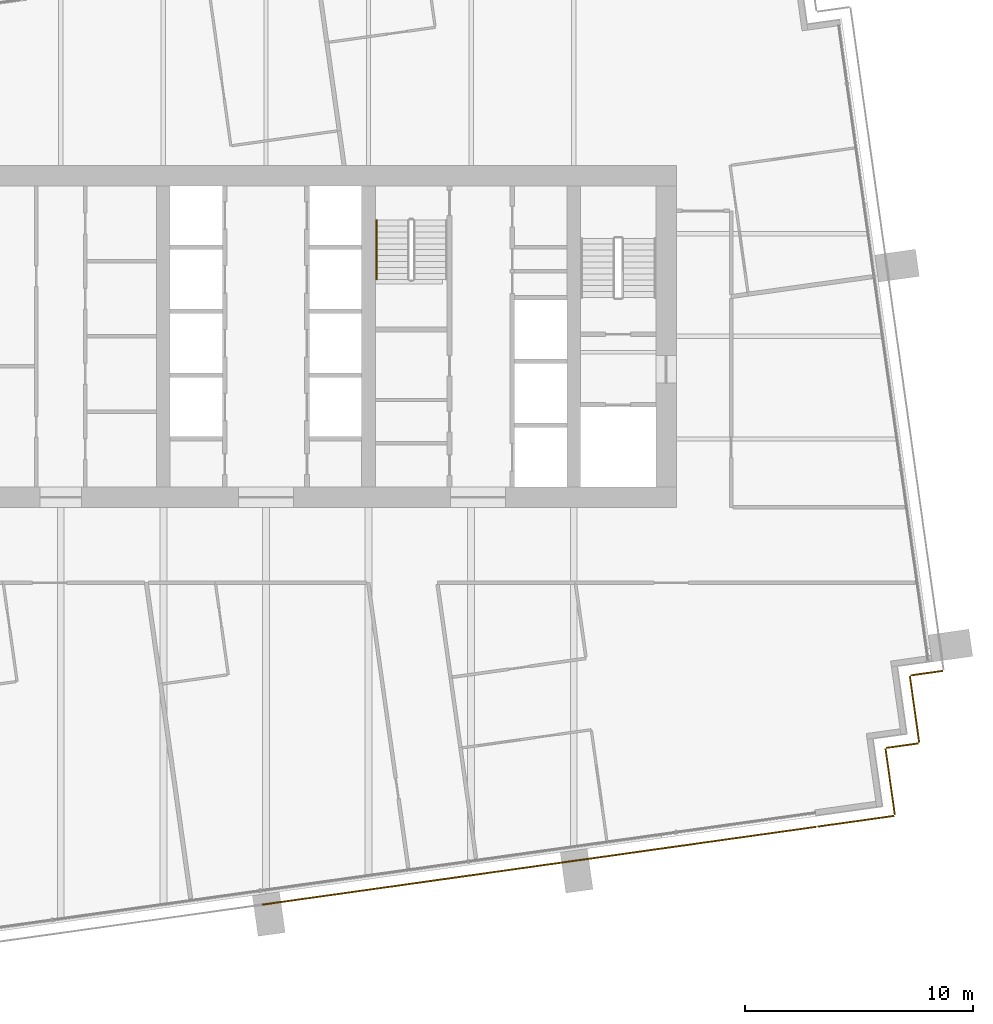
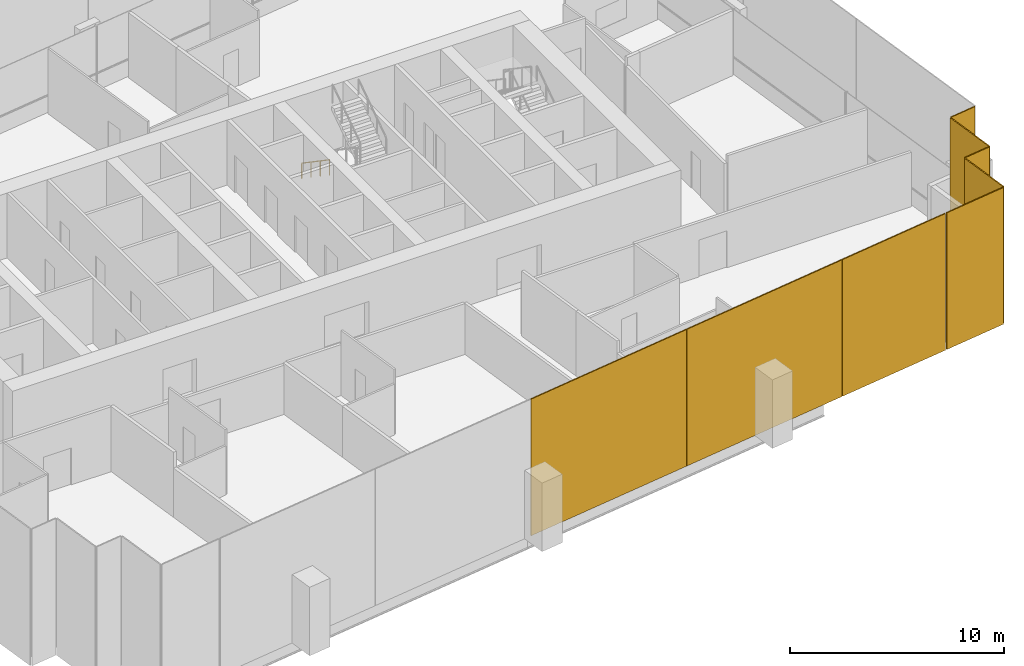
# One storey, part 14 of 17: 8 coverings, 1 railing.
"""IFC4 building model written with IfcOpenShell, lengths in metres."""

from ifc_helpers import new_model, si_unit, direction, frame, origin, origin_2d, place, context, subcontext, project, spatial, rectangle, extrude, material, layer, layer_set, type_object, element, save


model = new_model("IFC4")

# Units and contexts
model_context = context("Model", 3, precision=1e-05, world=origin(), true_north=direction((0.0, 1.0)))
body_context = subcontext(model_context, "Body", "Model", "MODEL_VIEW")
ifc_project = project(units=[si_unit("LENGTHUNIT", "METRE"), si_unit("AREAUNIT", "SQUARE_METRE"), si_unit("VOLUMEUNIT", "CUBIC_METRE"), si_unit("PLANEANGLEUNIT", "RADIAN"), si_unit("MASSUNIT", "GRAM", prefix="KILO")], contexts=[model_context])

# Site, building, storey
site_placement = place(None, origin())
site = spatial("IfcSite", under=ifc_project, at=site_placement, CompositionType="ELEMENT")
building_placement = place(site_placement, origin())
building = spatial("IfcBuilding", under=site, at=building_placement, Name="Rattan Terrace Tower", CompositionType="ELEMENT")
storey_placement = place(building_placement, frame((0.0, 0.0, 191.89990234375)))
storey = spatial("IfcBuildingStorey", under=building, at=storey_placement, Name="L44", CompositionType="ELEMENT", Elevation=191.89990234375)

# Railing
ifc_material_1 = material(Name="Powder-coated steel handrail", Category="steel")
railing_type = type_object("IfcRailingType", Name="Core stair handrail", PredefinedType="HANDRAIL", material=ifc_material_1)
railing_placement = place(storey_placement, frame((4.85009765625, 5.10009765625, 0.177490234375)))
element("IfcRailing", 1, at=railing_placement, inside=storey, type_object=railing_type, Name="L44 S3 stair handrail 1", PredefinedType="HANDRAIL", context=body_context, shape_type="SweptSolid", body=[
    extrude(rectangle(XDim=0.048095703125, YDim=0.048095703125, at=origin_2d()), frame((0.0, 0.0, 0.8759765625), z_axis=(0.0, -0.826240473404, 0.563317565952), x_axis=(1.0, 0.0, 0.0)), (0.0, 0.0, 1.0), 3.14697265625),
    extrude(rectangle(XDim=0.0419921875, YDim=0.0419921875, at=origin_2d()), origin(), (0.0, 0.0, 1.0), 0.851806640625),
    extrude(rectangle(XDim=0.0419921875, YDim=0.0419921875, at=origin_2d()), frame((0.0, -0.86669921875, 0.5908203125)), (0.0, 0.0, 1.0), 0.851806640625),
    extrude(rectangle(XDim=0.0419921875, YDim=0.0419921875, at=origin_2d()), frame((0.0, -1.7333984375, 1.181884765625)), (0.0, 0.0, 1.0), 0.851806640625),
    extrude(rectangle(XDim=0.0419921875, YDim=0.0419921875, at=origin_2d()), frame((0.0, -2.60009765625, 1.772705078125)), (0.0, 0.0, 1.0), 0.851806640625),
])

# Coverings
ifc_material_2 = material(Name="Perforated terracotta", Category="masonry")
ifc_layer = layer(ifc_material_2, 0.06005859375)
ifc_layer_set = layer_set([ifc_layer], Name="Facade Terracotta Screen Panel")
covering_type = type_object("IfcCoveringType", Name="Facade Terracotta Screen Panel", PredefinedType="CLADDING", material=ifc_layer_set)
covering_1_placement = place(storey_placement, frame((25.8798828125, -21.266357421875, -0.18994140625), z_axis=(0.0, 0.0, 1.0), x_axis=(0.990247240581, 0.139321220646, 0.0)))
element("IfcCovering", 2, at=covering_1_placement, inside=storey, type_object=covering_type, Name="OUTER SKIN panel L44-1", PredefinedType="CLADDING", context=body_context, shape_type="SweptSolid", body=[
    extrude(rectangle(XDim=3.370361328125, YDim=0.06005859375, at=origin_2d()), origin(), (0.0, 0.0, 1.0), 7.780029296875),
])
covering_2_placement = place(storey_placement, frame((27.37939453125, -19.54052734375, -0.18994140625), z_axis=(0.0, 0.0, 1.0), x_axis=(-0.139321220646, 0.990247240581, 0.0)))
element("IfcCovering", 3, at=covering_2_placement, inside=storey, type_object=covering_type, Name="OUTER SKIN panel L44-2", PredefinedType="CLADDING", context=body_context, shape_type="SweptSolid", body=[
    extrude(rectangle(XDim=2.919921875, YDim=0.06005859375, at=origin_2d()), origin(), (0.0, 0.0, 1.0), 7.780029296875),
])
covering_3_placement = place(storey_placement, frame((27.913330078125, -17.951171875, -0.18994140625), z_axis=(0.0, 0.0, 1.0), x_axis=(0.990345406709, 0.138621698915, 0.0)))
element("IfcCovering", 4, at=covering_3_placement, inside=storey, type_object=covering_type, Name="OUTER SKIN panel L44-3", PredefinedType="CLADDING", context=body_context, shape_type="SweptSolid", body=[
    extrude(rectangle(XDim=1.42041015625, YDim=0.06005859375, at=origin_2d()), origin(), (0.0, 0.0, 1.0), 7.780029296875),
])
covering_4_placement = place(storey_placement, frame((28.447265625, -16.361572265625, -0.18994140625), z_axis=(0.0, 0.0, 1.0), x_axis=(-0.139321220646, 0.990247240581, 0.0)))
element("IfcCovering", 5, at=covering_4_placement, inside=storey, type_object=covering_type, Name="OUTER SKIN panel L44-4", PredefinedType="CLADDING", context=body_context, shape_type="SweptSolid", body=[
    extrude(rectangle(XDim=2.920654296875, YDim=0.06005859375, at=origin_2d()), origin(), (0.0, 0.0, 1.0), 7.780029296875),
])
covering_5_placement = place(storey_placement, frame((28.981201171875, -14.771484375, -0.18994140625), z_axis=(0.0, 0.0, 1.0), x_axis=(0.99025370695, 0.139275252184, 0.0)))
element("IfcCovering", 6, at=covering_5_placement, inside=storey, type_object=covering_type, Name="OUTER SKIN panel L44-5", PredefinedType="CLADDING", context=body_context, shape_type="SweptSolid", body=[
    extrude(rectangle(XDim=1.420654296875, YDim=0.06005859375, at=origin_2d()), origin(), (0.0, 0.0, 1.0), 7.780029296875),
])
for number, where, z_axis, x_axis, name in (
    (7, (4.39794921875, -24.285400390625, -0.18994140625), (0.0, 0.0, 1.0), (0.990269702686, 0.139161474347, 0.0), "OUTER SKIN panel L44-36"),
    (8, (13.521484375, -23.003173828125, -0.18994140625), (0.0, 0.0, 1.0), (0.990269702686, 0.139161474347, 0.0), "OUTER SKIN panel L44-37"),
):
    element("IfcCovering", number, at=place(storey_placement, frame(where, z_axis=z_axis, x_axis=x_axis)), inside=storey, type_object=covering_type, Name=name, PredefinedType="CLADDING", context=body_context, shape_type="SweptSolid", body=[
        extrude(rectangle(XDim=9.193115234375, YDim=0.06005859375, at=origin_2d()), origin(), (0.0, 0.0, 1.0), 7.780029296875),
    ])
covering_6_placement = place(storey_placement, frame((21.112548828125, -21.9365234375, -0.18994140625), z_axis=(0.0, 0.0, 1.0), x_axis=(0.990269702686, 0.139161474347, 0.0)))
element("IfcCovering", 9, at=covering_6_placement, inside=storey, type_object=covering_type, Name="OUTER SKIN panel L44-38", PredefinedType="CLADDING", context=body_context, shape_type="SweptSolid", body=[
    extrude(rectangle(XDim=6.098388671875, YDim=0.06005859375, at=origin_2d()), origin(), (0.0, 0.0, 1.0), 7.780029296875),
])

save(model, "model.ifc")
